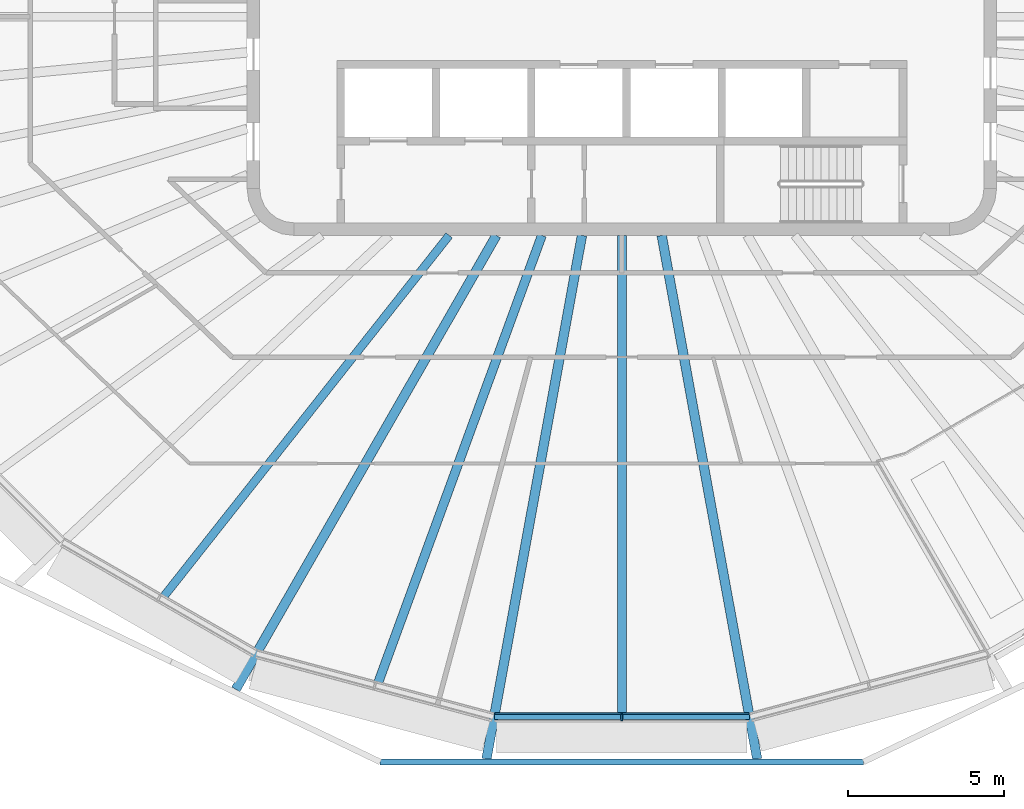
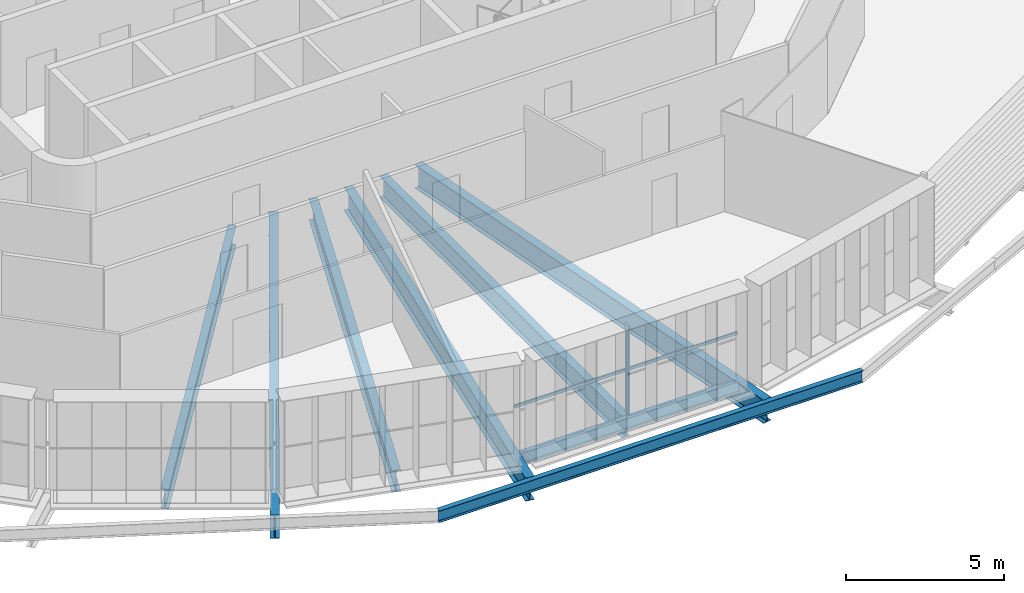
# One storey, part 2 of 21: 8 beams, 2 members, 1 element without a shape of its own.
"""IFC4 building model written with IfcOpenShell, lengths in metres."""

from ifc_helpers import new_model, si_unit, direction, frame, origin, origin_2d, place, context, subcontext, project, spatial, rectangle, i_section, extrude, material, layer, layer_set, material_profile, profile_set, type_object, element, aggregate, save


model = new_model("IFC4")

# Units and contexts
model_context = context("Model", 3, precision=1e-05, world=origin(), true_north=direction((0.0, 1.0)))
body_context = subcontext(model_context, "Body", "Model", "MODEL_VIEW")
ifc_project = project(units=[si_unit("LENGTHUNIT", "METRE"), si_unit("AREAUNIT", "SQUARE_METRE"), si_unit("VOLUMEUNIT", "CUBIC_METRE"), si_unit("PLANEANGLEUNIT", "RADIAN"), si_unit("MASSUNIT", "GRAM", prefix="KILO")], contexts=[model_context])

# Site, building, storey
site_placement = place(None, origin())
site = spatial("IfcSite", under=ifc_project, at=site_placement, CompositionType="ELEMENT")
building_placement = place(site_placement, origin())
building = spatial("IfcBuilding", under=site, at=building_placement, Name="Sahrelin Media Tower", CompositionType="ELEMENT")
storey_placement = place(building_placement, frame((0.0, 0.0, 304.39990234375)))
storey = spatial("IfcBuildingStorey", under=building, at=storey_placement, Name="L67", CompositionType="ELEMENT", Elevation=304.39990234375)

# Beam
ifc_material_1 = material(Name="Steel S355", Category="steel")
ifc_material_profile_1 = material_profile(ifc_material_1, i_section(OverallWidth=0.1904296875, OverallDepth=0.45703125, WebThickness=0.009033203125, FlangeThickness=0.014404296875, FilletRadius=0.01025390625, at=origin_2d()), Name="UB 457x191x74")
ifc_profile_set_1 = profile_set([ifc_material_profile_1], Name="Steel S355")
beam_type_1 = type_object("IfcBeamType", Name="Edge beam EB5", PredefinedType="BEAM", material=ifc_profile_set_1)
beam_1_placement = place(storey_placement, frame((4.080810546875, -22.41064453125, -0.37841796875), z_axis=(-1.0, 0.0, 0.0), x_axis=(0.0, -1.0, 0.0)))
element("IfcBeam", 1, at=beam_1_placement, inside=storey, type_object=beam_type_1, Name="Edge beam L67-07", PredefinedType="BEAM", context=body_context, shape_type="SweptSolid", body=[
    extrude(i_section(OverallWidth=0.1904296875, OverallDepth=0.45703125, WebThickness=0.009033203125, FlangeThickness=0.014404296875, FilletRadius=0.01025390625, at=origin_2d()), origin(), (0.0, 0.0, 1.0), 8.16162109375),
])

# Curtain wall, member
ifc_material_2 = material(Name="Champagne anodised aluminium 6063-T6", Category="aluminium")
ifc_layer = layer(ifc_material_2, 0.14990234375)
ifc_layer_set = layer_set([ifc_layer], Name="Tower ribbon curtain wall")
curtain_wall_type = type_object("IfcCurtainWallType", Name="Tower ribbon curtain wall", PredefinedType="NOTDEFINED", material=ifc_layer_set)
curtain_wall_placement = place(storey_placement, frame((0.0, -22.560791015625, 0.0), z_axis=(0.0, 0.0, 1.0), x_axis=(1.0, 0.0, 0.0)))
curtain_wall = element("IfcCurtainWall", 2, at=curtain_wall_placement, inside=storey, type_object=curtain_wall_type, Name="L67:CW:L67-18", PredefinedType="NOTDEFINED")
ifc_material_profile_2 = material_profile(ifc_material_2, rectangle(XDim=0.06005859375, YDim=0.199951171875, at=origin_2d()), Name="Mullion 60x200")
ifc_profile_set_2 = profile_set([ifc_material_profile_2], Name="Champagne anodised aluminium 6063-T6")
member_type_1 = type_object("IfcMemberType", Name="Mullion 60x200 CW1C", PredefinedType="MULLION", material=ifc_profile_set_2)
member_1_placement = place(storey_placement, frame((0.0, -22.440673828125, 0.0), z_axis=(0.0, 0.0, 1.0), x_axis=(1.0, 0.0, 0.0)))
member_1 = element("IfcMember", 3, at=member_1_placement, type_object=member_type_1, Name="L67:CWM:L67-18", PredefinedType="MULLION", context=body_context, shape_type="SweptSolid", body=[
    extrude(rectangle(XDim=0.06005859375, YDim=0.199951171875, at=origin_2d()), origin(), (0.0, 0.0, 1.0), 3.44873046875),
])

# Beams
ifc_material_profile_3 = material_profile(ifc_material_1, i_section(OverallWidth=0.30322265625, OverallDepth=0.903076171875, WebThickness=0.01513671875, FlangeThickness=0.020263671875, FilletRadius=0.01904296875, at=origin_2d()), Name="UB 914x305x201")
ifc_profile_set_3 = profile_set([ifc_material_profile_3], Name="Steel S355")
beam_type_2 = type_object("IfcBeamType", Name="Radial primary beam PB11", PredefinedType="BEAM", material=ifc_profile_set_3)
beam_2_placement = place(storey_placement, frame((-4.018310546875, -7.0, -0.601318359375), z_axis=(-0.497863258598, -0.867255542351, 0.0), x_axis=(0.867255542351, -0.497863258598, 0.0)))
element("IfcBeam", 4, at=beam_2_placement, inside=storey, type_object=beam_type_2, Name="Radial beam L67-17", PredefinedType="BEAM", context=body_context, shape_type="SweptSolid", body=[
    extrude(i_section(OverallWidth=0.30322265625, OverallDepth=0.903076171875, WebThickness=0.01513671875, FlangeThickness=0.020263671875, FilletRadius=0.01904296875, at=origin_2d()), origin(), (0.0, 0.0, 1.0), 16.762939453125),
])
for number, where, z_axis, x_axis, name in (
    (5, (-1.27685546875, -7.0, -0.601318359375), (-0.179436252386, -0.983769602768, 0.0), (0.983769602768, -0.179436252386, 0.0), "Radial beam L67-18"),
    (6, (1.27685546875, -7.0, -0.601318359375), (0.179436252386, -0.983769602768, 0.0), (0.983769602768, 0.179436252386, 0.0), "Radial beam L67-19"),
):
    element("IfcBeam", number, at=place(storey_placement, frame(where, z_axis=z_axis, x_axis=x_axis)), inside=storey, type_object=beam_type_2, Name=name, PredefinedType="BEAM", context=body_context, shape_type="SweptSolid", body=[
        extrude(i_section(OverallWidth=0.30322265625, OverallDepth=0.903076171875, WebThickness=0.01513671875, FlangeThickness=0.020263671875, FilletRadius=0.01904296875, at=origin_2d()), origin(), (0.0, 0.0, 1.0), 17.044189453125),
    ])
ifc_material_profile_4 = material_profile(ifc_material_1, i_section(OverallWidth=0.291748046875, OverallDepth=0.8349609375, WebThickness=0.013916015625, FlangeThickness=0.018798828125, FilletRadius=0.017822265625, at=origin_2d()), Name="UB 838x292x176")
ifc_profile_set_4 = profile_set([ifc_material_profile_4], Name="Steel S355")
beam_type_3 = type_object("IfcBeamType", Name="Radial secondary beam SB10", PredefinedType="BEAM", material=ifc_profile_set_4)
beam_3_placement = place(storey_placement, frame((-2.561279296875, -7.0, -0.5673828125), z_axis=(-0.343626287634, -0.939106476629, 0.0), x_axis=(0.939106476629, -0.343626287634, 0.0)))
element("IfcBeam", 7, at=beam_3_placement, inside=storey, type_object=beam_type_3, Name="Secondary beam L67-17", PredefinedType="BEAM", context=body_context, shape_type="SweptSolid", body=[
    extrude(i_section(OverallWidth=0.291748046875, OverallDepth=0.8349609375, WebThickness=0.013916015625, FlangeThickness=0.018798828125, FilletRadius=0.017822265625, at=origin_2d()), origin(), (0.0, 0.0, 1.0), 15.254150390625),
])
beam_4_placement = place(storey_placement, frame((0.0, -7.0, -0.5673828125), z_axis=(0.0, -1.0, 0.0), x_axis=(1.0, 0.0, 0.0)))
element("IfcBeam", 8, at=beam_4_placement, inside=storey, type_object=beam_type_3, Name="Secondary beam L67-18", PredefinedType="BEAM", context=body_context, shape_type="SweptSolid", body=[
    extrude(i_section(OverallWidth=0.291748046875, OverallDepth=0.8349609375, WebThickness=0.013916015625, FlangeThickness=0.018798828125, FilletRadius=0.017822265625, at=origin_2d()), origin(), (0.0, 0.0, 1.0), 15.3154296875),
])
ifc_material_profile_5 = material_profile(ifc_material_1, i_section(OverallWidth=0.26513671875, OverallDepth=0.75390625, WebThickness=0.0126953125, FlangeThickness=0.017578125, FilletRadius=0.0166015625, at=origin_2d()), Name="UB 762x267x147")
ifc_profile_set_5 = profile_set([ifc_material_profile_5], Name="Steel S355")
beam_type_4 = type_object("IfcBeamType", Name="Radial secondary beam SB9", PredefinedType="BEAM", material=ifc_profile_set_5)
beam_5_placement = place(storey_placement, frame((-5.531494140625, -7.0, -0.52685546875), z_axis=(-0.620008435569, -0.784595143895, 0.0), x_axis=(0.784595143895, -0.620008435569, 0.0)))
element("IfcBeam", 9, at=beam_5_placement, inside=storey, type_object=beam_type_4, Name="Secondary beam L67-16", PredefinedType="BEAM", context=body_context, shape_type="SweptSolid", body=[
    extrude(i_section(OverallWidth=0.26513671875, OverallDepth=0.75390625, WebThickness=0.0126953125, FlangeThickness=0.017578125, FilletRadius=0.0166015625, at=origin_2d()), origin(), (0.0, 0.0, 1.0), 14.735595703125),
])
ifc_material_profile_6 = material_profile(ifc_material_1, i_section(OverallWidth=0.1904296875, OverallDepth=0.45703125, WebThickness=0.009033203125, FlangeThickness=0.014404296875, FilletRadius=0.01025390625, at=origin_2d()), Name="UB 457x191x74")
ifc_profile_set_6 = profile_set([ifc_material_profile_6], Name="Steel S355")
beam_type_5 = type_object("IfcBeamType", Name="Tie chord TC5", PredefinedType="BEAM", material=ifc_profile_set_6)
beam_6_placement = place(storey_placement, frame((7.73681640625, -23.86279296875, -0.37841796875), z_axis=(-1.0, 0.0, 0.0), x_axis=(0.0, -1.0, 0.0)))
element("IfcBeam", 10, at=beam_6_placement, inside=storey, type_object=beam_type_5, Name="Tie chord L67-06", PredefinedType="BEAM", context=body_context, shape_type="SweptSolid", body=[
    extrude(i_section(OverallWidth=0.1904296875, OverallDepth=0.45703125, WebThickness=0.009033203125, FlangeThickness=0.014404296875, FilletRadius=0.01025390625, at=origin_2d()), origin(), (0.0, 0.0, 1.0), 15.4736328125),
])

# Member
ifc_material_profile_7 = material_profile(ifc_material_2, rectangle(XDim=0.050048828125, YDim=0.1201171875, at=origin_2d()), Name="Transom 50x120")
ifc_profile_set_7 = profile_set([ifc_material_profile_7], Name="Champagne anodised aluminium 6063-T6")
member_type_2 = type_object("IfcMemberType", Name="Transom 50x120 CW1C", PredefinedType="USERDEFINED", material=ifc_profile_set_7)
member_2_placement = place(storey_placement, frame((-4.06494140625, -22.315673828125, 1.60009765625), z_axis=(1.0, 0.0, 0.0), x_axis=(0.0, 1.0, 0.0)))
member_2 = element("IfcMember", 11, at=member_2_placement, type_object=member_type_2, Name="L67:CWT:L67-18", ObjectType="TRANSOM", PredefinedType="USERDEFINED", context=body_context, shape_type="SweptSolid", body=[
    extrude(rectangle(XDim=0.050048828125, YDim=0.1201171875, at=origin_2d()), origin(), (0.0, 0.0, 1.0), 8.1298828125),
])

aggregate(curtain_wall, [member_1, member_2])

save(model, "model.ifc")
